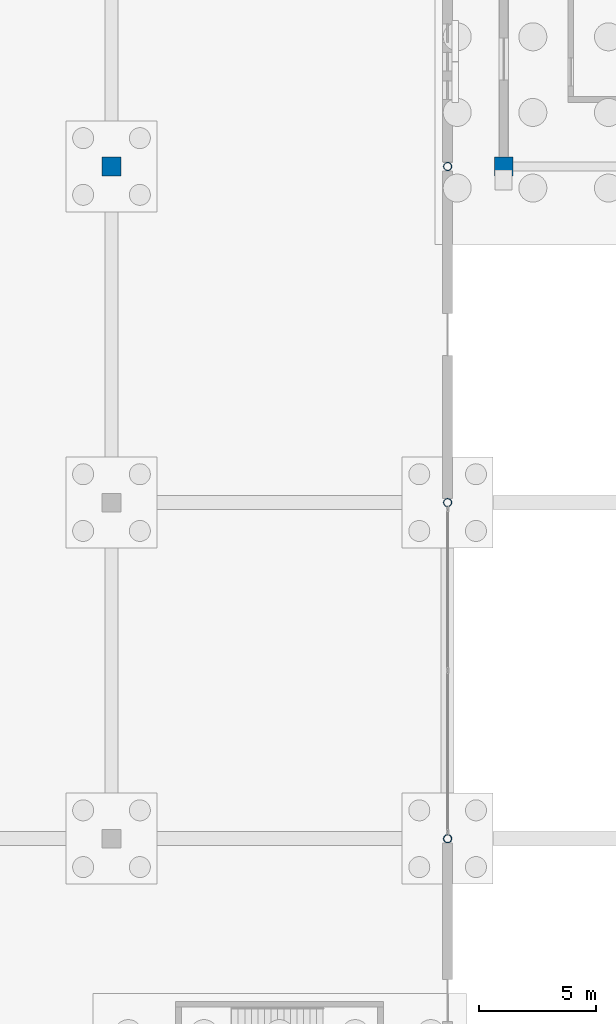
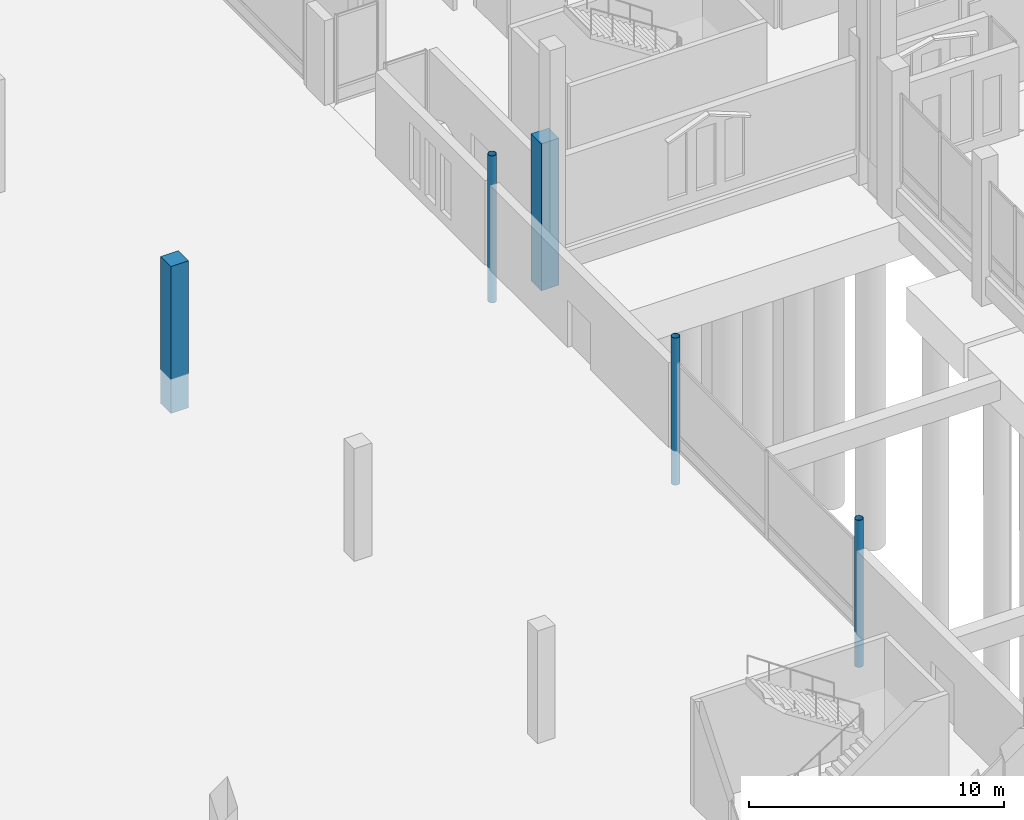
# One storey, part 15 of 192: 5 columns.
"""IFC4 building model written with IfcOpenShell, lengths in metres."""

import ifcopenshell
import ifcopenshell.guid

model = None  # the IFC model being written
_history = None  # IfcOwnerHistory: only IFC2X3 demands one
_inside = {}  # id of a spatial element -> (the spatial element, [elements in it])
_under = {}  # id of a project, library or spatial element -> (it, [spatial elements below it])
_declared = {}  # id of a project -> (the project, [libraries it declares])
_typed = {}  # id of a type object -> (the type object, [elements of that type])
_made_of = {}  # id of a material, layer set ... -> (it, [elements and type objects made of it])


def new_model(schema):
    """Start an empty IFC model of exactly this schema.

    Asked for "IFC4X3", IfcOpenShell would pick the latest addendum, in which some entities
    have other attributes; the version numbers below select the first issue.
    IFC2X3 requires an IfcOwnerHistory on every rooted entity: one is made here for all.
    """
    global model, _history
    if schema == "IFC4X3":
        model = ifcopenshell.file(schema_version=(4, 3, 0, 0))
    else:
        model = ifcopenshell.file(schema=schema)
    _inside.clear()
    _under.clear()
    _declared.clear()
    _typed.clear()
    _made_of.clear()
    _history = None
    if model.schema == "IFC2X3":
        org = make("IfcOrganization", Name="unknown")
        user = make(
            "IfcPersonAndOrganization",
            ThePerson=make("IfcPerson", FamilyName="unknown"),
            TheOrganization=org,
        )
        app = make(
            "IfcApplication",
            ApplicationDeveloper=org,
            Version="unknown",
            ApplicationFullName="unknown",
            ApplicationIdentifier="unknown",
        )
        _history = make(
            "IfcOwnerHistory",
            OwningUser=user,
            OwningApplication=app,
            ChangeAction="ADDED",
            CreationDate=0,
        )
    return model


def make(cls, **values):
    """One entity of the class cls with the attributes given. An attribute that is None is left unset."""
    return model.create_entity(
        cls, **{name: value for name, value in values.items() if value is not None}
    )


def rooted(cls, **values):
    """An entity with a GlobalId (a new one), such as an element, a storey or a relation."""
    return make(cls, GlobalId=ifcopenshell.guid.new(), OwnerHistory=_history, **values)


def si_unit(unit_type, name, prefix=None):
    """IfcSIUnit, for example si_unit("LENGTHUNIT", "METRE", prefix="MILLI")."""
    return make("IfcSIUnit", UnitType=unit_type, Prefix=prefix, Name=name)


def assignment(units):
    """IfcUnitAssignment: the units of a project."""
    return None if units is None else make("IfcUnitAssignment", Units=units)


def point(xyz):
    """IfcCartesianPoint."""
    return None if xyz is None else make("IfcCartesianPoint", Coordinates=xyz)


def direction(xyz):
    """IfcDirection."""
    return None if xyz is None else make("IfcDirection", DirectionRatios=xyz)


def frame(location, z_axis=None, x_axis=None):
    """IfcAxis2Placement3D, a coordinate frame: its origin and axes. An axis left out is left unset."""
    return make(
        "IfcAxis2Placement3D",
        Location=point(location),
        Axis=direction(z_axis),
        RefDirection=direction(x_axis),
    )


def frame_2d(location, x_axis=None):
    """IfcAxis2Placement2D, a coordinate frame in the plane: its origin and x axis."""
    return make(
        "IfcAxis2Placement2D", Location=point(location), RefDirection=direction(x_axis)
    )


def origin():
    """The frame at (0, 0, 0) with its axes left unset."""
    return frame((0.0, 0.0, 0.0))


def origin_2d():
    """The frame at (0, 0) in the plane with its x axis left unset."""
    return frame_2d((0.0, 0.0))


def place(relative_to, where):
    """IfcLocalPlacement: puts the frame where relative to a parent placement (None: the world)."""
    return make(
        "IfcLocalPlacement", PlacementRelTo=relative_to, RelativePlacement=where
    )


def context(
    kind, dimensions, precision=None, world=None, true_north=None, identifier=None
):
    """IfcGeometricRepresentationContext, for example the 3D "Model" context."""
    return make(
        "IfcGeometricRepresentationContext",
        ContextIdentifier=identifier,
        ContextType=kind,
        CoordinateSpaceDimension=dimensions,
        Precision=precision,
        WorldCoordinateSystem=world,
        TrueNorth=true_north,
    )


def subcontext(parent, identifier, kind, view, scale=None):
    """IfcGeometricRepresentationSubContext, for example "Body" below "Model"."""
    return make(
        "IfcGeometricRepresentationSubContext",
        ContextIdentifier=identifier,
        ContextType=kind,
        ParentContext=parent,
        TargetScale=scale,
        TargetView=view,
    )


def project(units=None, contexts=None):
    """IfcProject with its units and contexts."""
    return rooted(
        "IfcProject",
        Name="project",
        RepresentationContexts=contexts,
        UnitsInContext=assignment(units),
    )


def spatial(cls, under=None, at=None, **own):
    """A site, building, storey or space (cls), placed at a placement, below another one or the project."""
    s = rooted(cls, ObjectPlacement=at, **own)
    if under is not None:
        _under.setdefault(under.id(), (under, []))[1].append(s)
    return s


def profile(cls, at=None, kind="AREA", **sizes):
    """A parametric profile (cls). Its sizes go by their IFC names, for example OverallWidth=200.0."""
    return make(cls, ProfileType=kind, Position=at, **sizes)


def rectangle(**sizes):
    """IfcRectangleProfileDef."""
    return profile("IfcRectangleProfileDef", **sizes)


def hollow_circle(**sizes):
    """IfcCircleHollowProfileDef."""
    return profile("IfcCircleHollowProfileDef", **sizes)


def extrude(swept, where, along, depth):
    """IfcExtrudedAreaSolid: the profile swept, set in the frame where, extruded along a direction by depth."""
    return make(
        "IfcExtrudedAreaSolid",
        SweptArea=swept,
        Position=where,
        ExtrudedDirection=direction(along),
        Depth=depth,
    )


def shape(context_of_items, identifier, shape_type, items):
    """IfcShapeRepresentation: the items that make up one representation, for example the "Body"."""
    return make(
        "IfcShapeRepresentation",
        ContextOfItems=context_of_items,
        RepresentationIdentifier=identifier,
        RepresentationType=shape_type,
        Items=items,
    )


def material(Name=None, Category=None):
    """IfcMaterial."""
    return make("IfcMaterial", Name=Name, Category=Category)


def material_profile(
    of_material, cross_section, Name=None, Category=None, Priority=None
):
    """IfcMaterialProfile: a cross section and its material."""
    return make(
        "IfcMaterialProfile",
        Name=Name,
        Material=of_material,
        Profile=cross_section,
        Priority=Priority,
        Category=Category,
    )


def profile_set(profiles, Name=None, composite=None):
    """IfcMaterialProfileSet."""
    return make(
        "IfcMaterialProfileSet",
        Name=Name,
        MaterialProfiles=profiles,
        CompositeProfile=composite,
    )


def made_of(thing, what):
    """Note that an element or type object is made of a material, layer set ...; save() writes the relation."""
    if what is not None:
        _made_of.setdefault(what.id(), (what, []))[1].append(thing)
    return thing


def type_object(cls, material=None, **own):
    """A type object (cls), such as IfcWallType, which elements share."""
    return made_of(rooted(cls, **own), material)


def element(
    cls,
    number,
    at=None,
    inside=None,
    cuts=None,
    type_object=None,
    material=None,
    context=None,
    identifier="Body",
    shape_type=None,
    held_by="IfcProductDefinitionShape",
    body=None,
    shapes=None,
    **own,
):
    """One element of the class cls, such as IfcWall. Its Tag is "e" and its number.

    at: its placement. inside: the storey or other place that contains it. cuts: it is an
    opening in that element (IfcRelVoidsElement). A single representation is given by context,
    identifier, shape_type and body (its items); several are given by shapes. held_by: the class
    of the entity that holds the representations. save() writes the other relations.
    """
    e = rooted(cls, Tag="e%d" % number, ObjectPlacement=at, **own)
    if body is not None:
        shapes = [shape(context, identifier, shape_type, body)]
    if shapes is not None:
        e.Representation = make(held_by, Representations=shapes)
    if inside is not None:
        _inside.setdefault(inside.id(), (inside, []))[1].append(e)
    if cuts is not None:
        rooted(
            "IfcRelVoidsElement", RelatingBuildingElement=cuts, RelatedOpeningElement=e
        )
    if type_object is not None:
        _typed.setdefault(type_object.id(), (type_object, []))[1].append(e)
    return made_of(e, material)


def aggregate(whole, parts):
    """IfcRelAggregates: a whole, such as a stair, and the parts it consists of."""
    return rooted("IfcRelAggregates", RelatingObject=whole, RelatedObjects=parts)


def save(model, path):
    """Write the relations noted so far, then the file.

    IfcRelAggregates (storeys below a building ...), IfcRelContainedInSpatialStructure (elements
    in a storey), IfcRelDefinesByType, IfcRelAssociatesMaterial and IfcRelDeclares: one each for
    every whole, place, type object, material and project.
    """
    for whole, parts in _under.values():
        aggregate(whole, parts)
    for where, things in _inside.values():
        rooted(
            "IfcRelContainedInSpatialStructure",
            RelatedElements=things,
            RelatingStructure=where,
        )
    for kind, things in _typed.values():
        rooted("IfcRelDefinesByType", RelatedObjects=things, RelatingType=kind)
    for what, things in _made_of.values():
        rooted("IfcRelAssociatesMaterial", RelatedObjects=things, RelatingMaterial=what)
    for by, libraries in _declared.values():
        rooted("IfcRelDeclares", RelatingContext=by, RelatedDefinitions=libraries)
    model.write(path)


model = new_model("IFC4")

# Units and contexts
model_context = context("Model", 3, precision=1e-05, world=origin(), true_north=direction((0.0, 1.0)))
body_context = subcontext(model_context, "Body", "Model", "MODEL_VIEW")
ifc_project = project(units=[si_unit("LENGTHUNIT", "METRE"), si_unit("AREAUNIT", "SQUARE_METRE"), si_unit("VOLUMEUNIT", "CUBIC_METRE"), si_unit("PLANEANGLEUNIT", "RADIAN"), si_unit("MASSUNIT", "GRAM", prefix="KILO")], contexts=[model_context])

# Site, building, storey
site_placement = place(None, origin())
site = spatial("IfcSite", under=ifc_project, at=site_placement, CompositionType="ELEMENT")
building_placement = place(site_placement, origin())
building = spatial("IfcBuilding", under=site, at=building_placement, Name="Cendralis Lancet Convention Centre", CompositionType="ELEMENT")
storey_placement = place(building_placement, origin())
storey = spatial("IfcBuildingStorey", under=building, at=storey_placement, Name="L00", CompositionType="ELEMENT", Elevation=0.0)

# Columns
ifc_material_1 = material(Name="Concrete G40 (C40/50)", Category="concrete")
ifc_material_profile_1 = material_profile(ifc_material_1, rectangle(XDim=0.800048828125, YDim=0.800048828125, at=origin_2d()), Name="RC 800x800")
ifc_profile_set_1 = profile_set([ifc_material_profile_1], Name="Concrete G40 (C40/50)")
column_type_1 = type_object("IfcColumnType", Name="STR-COL-C05", PredefinedType="COLUMN", material=ifc_profile_set_1)
column_1_placement = place(storey_placement, frame((124.800048828125, 93.60009765625, -1.64990234375), z_axis=(0.0, 0.0, 1.0), x_axis=(1.0, 0.0, 0.0)))
element("IfcColumn", 1, at=column_1_placement, inside=storey, type_object=column_type_1, Name="L00 Column C05 at 124.8,93.6", PredefinedType="COLUMN", context=body_context, shape_type="SweptSolid", body=[
    extrude(rectangle(XDim=0.800048828125, YDim=0.800048828125, at=origin_2d()), origin(), (0.0, 0.0, 1.0), 7.0498046875),
])
ifc_material_profile_2 = material_profile(ifc_material_1, rectangle(XDim=0.800048828125, YDim=0.800048828125, at=origin_2d()), Name="RC 800x800")
ifc_profile_set_2 = profile_set([ifc_material_profile_2], Name="Concrete G40 (C40/50)")
column_type_2 = type_object("IfcColumnType", Name="STR-COL-C05-INT", PredefinedType="COLUMN", material=ifc_profile_set_2)
column_2_placement = place(storey_placement, frame((108.0, 93.60009765625, -1.64990234375), z_axis=(0.0, 0.0, 1.0), x_axis=(1.0, 0.0, 0.0)))
element("IfcColumn", 2, at=column_2_placement, inside=storey, type_object=column_type_2, Name="L00 Column C05 at 108.0,93.6", PredefinedType="COLUMN", context=body_context, shape_type="SweptSolid", body=[
    extrude(rectangle(XDim=0.800048828125, YDim=0.800048828125, at=origin_2d()), origin(), (0.0, 0.0, 1.0), 7.0498046875),
])
ifc_material_2 = material(Name="Steel S355", Category="steel")
ifc_material_profile_3 = material_profile(ifc_material_2, hollow_circle(Radius=0.177734375, WallThickness=0.01611328125, at=origin_2d()), Name="CHS 355.6x16.0")
ifc_profile_set_3 = profile_set([ifc_material_profile_3], Name="Steel S355")
column_type_3 = type_object("IfcColumnType", Name="STR-COL-C28", PredefinedType="COLUMN", material=ifc_profile_set_3)
for number, where, z_axis, x_axis, name in (
    (3, (122.39990234375, 64.800048828125, -1.64990234375), (0.0, 0.0, 1.0), (1.0, 0.0, 0.0), "L00 Column C28 at 122.4,64.8"),
    (4, (122.39990234375, 79.199951171875, -1.64990234375), (0.0, 0.0, 1.0), (1.0, 0.0, 0.0), "L00 Column C28 at 122.4,79.2"),
    (5, (122.39990234375, 93.60009765625, -1.64990234375), (0.0, 0.0, 1.0), (1.0, 0.0, 0.0), "L00 Column C28 at 122.4,93.6"),
):
    element("IfcColumn", number, at=place(storey_placement, frame(where, z_axis=z_axis, x_axis=x_axis)), inside=storey, type_object=column_type_3, Name=name, PredefinedType="COLUMN", context=body_context, shape_type="SweptSolid", body=[
        extrude(hollow_circle(Radius=0.177734375, WallThickness=0.01611328125, at=origin_2d()), origin(), (0.0, 0.0, 1.0), 7.0498046875),
    ])

save(model, "model.ifc")
